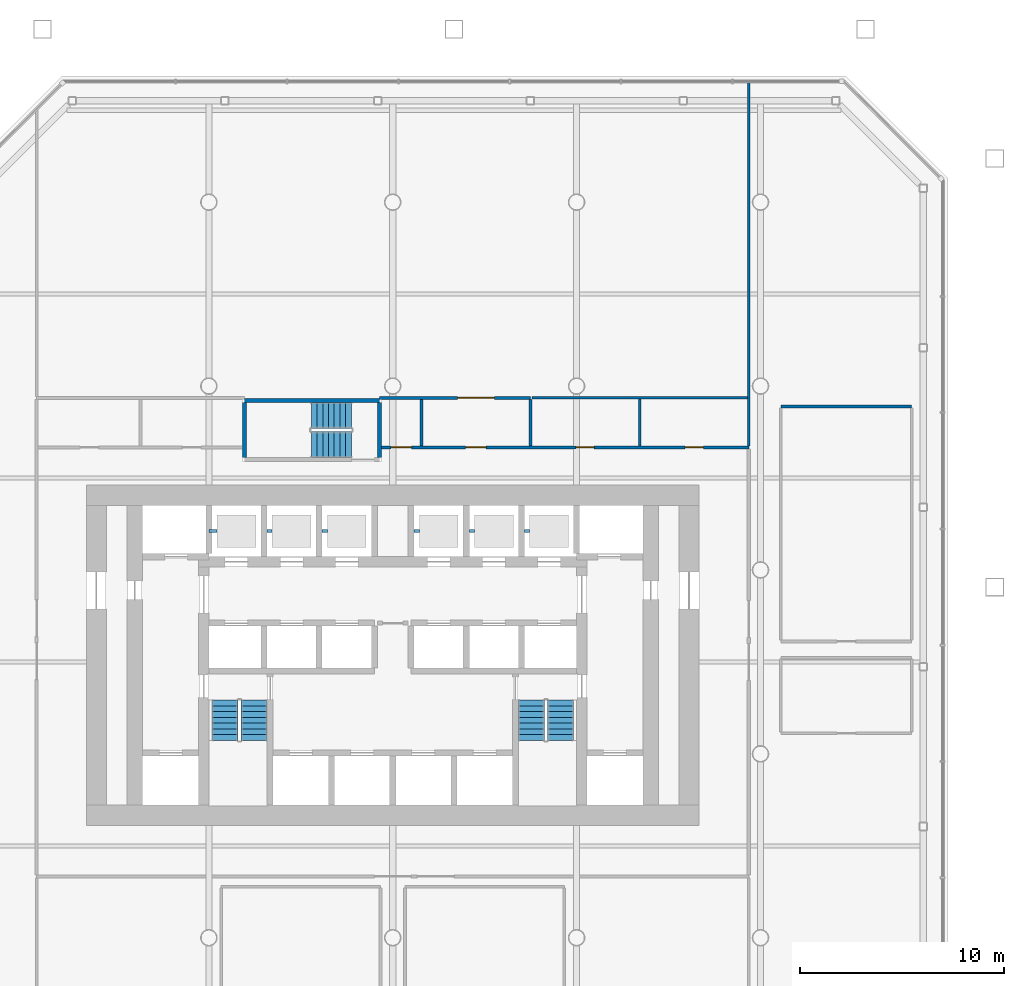
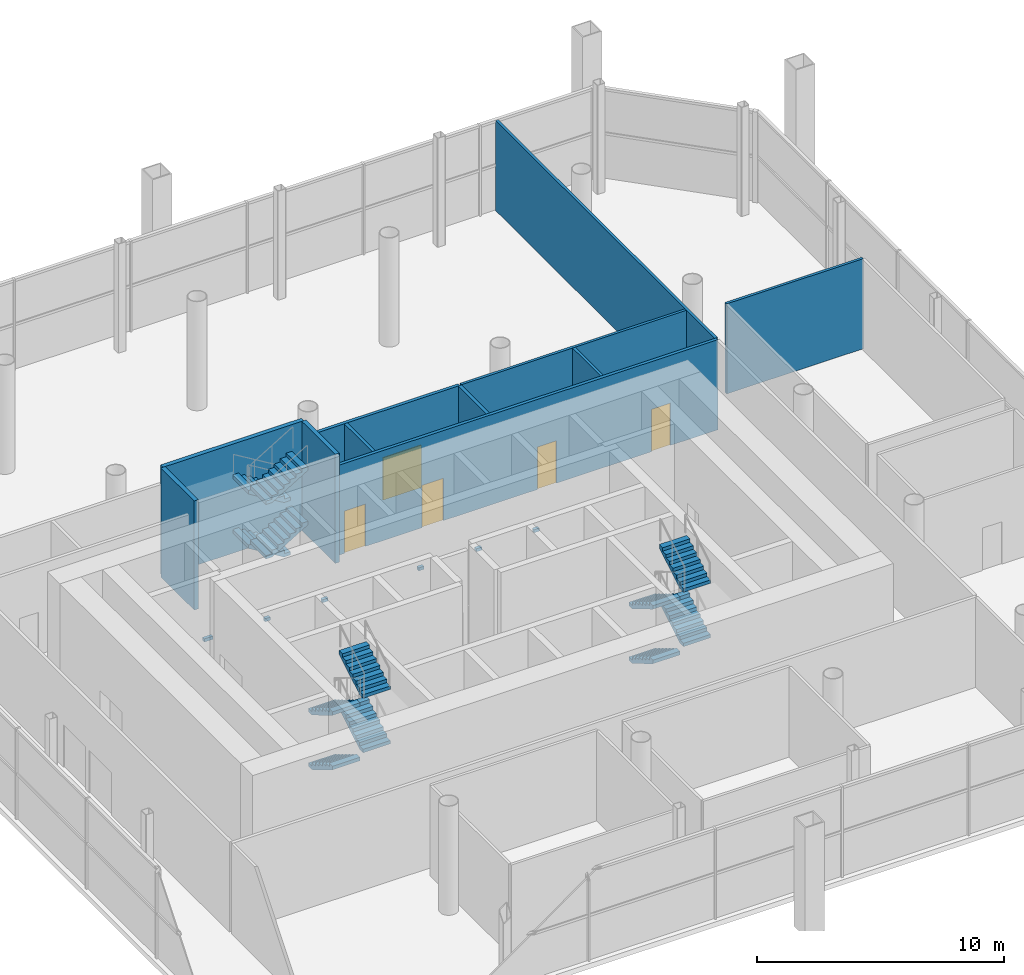
# One storey, part 11 of 13: 12 stair flights, 11 walls, 6 discrete accessories, 5 doors, 5 openings, 3 elements without a shape of their own.
"""IFC4 building model written with IfcOpenShell, lengths in metres."""

from ifc_helpers import new_model, si_unit, direction, frame, frame_2d, origin, origin_2d, place, context, subcontext, project, spatial, polyline, rectangle, outline, extrude, material, layer, layer_set, type_object, element, fill, aggregate, save


model = new_model("IFC4")

# Units and contexts
model_context = context("Model", 3, precision=1e-05, world=origin(), true_north=direction((0.0, 1.0)))
body_context = subcontext(model_context, "Body", "Model", "MODEL_VIEW")
ifc_project = project(units=[si_unit("LENGTHUNIT", "METRE"), si_unit("AREAUNIT", "SQUARE_METRE"), si_unit("VOLUMEUNIT", "CUBIC_METRE"), si_unit("PLANEANGLEUNIT", "RADIAN"), si_unit("MASSUNIT", "GRAM", prefix="KILO")], contexts=[model_context])

# Site, building, storey
site_placement = place(None, origin())
site = spatial("IfcSite", under=ifc_project, at=site_placement, CompositionType="ELEMENT")
building_placement = place(site_placement, origin())
building = spatial("IfcBuilding", under=site, at=building_placement, Name="Tskaro Facet Tower", CompositionType="ELEMENT")
storey_placement = place(building_placement, frame((0.0, 0.0, 108.89990234375)))
storey = spatial("IfcBuildingStorey", under=building, at=storey_placement, Name="L26", CompositionType="ELEMENT", Elevation=108.89990234375)

# Walls
ifc_material_1 = material(Name="Gypsum board on steel studs", Category="steel")
ifc_layer_1 = layer(ifc_material_1, 0.125, Name="Gypsum board on steel studs")
ifc_layer_set_1 = layer_set([ifc_layer_1], Name="Gypsum board on steel studs")
wall_type_1 = type_object("IfcWallType", Name="PART", PredefinedType="PARTITIONING", material=ifc_layer_set_1)
wall_1_placement = place(storey_placement, frame((19.0, 8.0, 0.0), z_axis=(0.0, 0.0, 1.0), x_axis=(1.0, 0.0, 0.0)))
element("IfcWall", 1, at=wall_1_placement, inside=storey, type_object=wall_type_1, Name="Partition W022", PredefinedType="PARTITIONING", context=body_context, shape_type="SweptSolid", body=[
    extrude(rectangle(XDim=6.39990234375, YDim=0.125, at=frame_2d((3.199951171875, 0.0))), origin(), (0.0, 0.0, 1.0), 4.460205078125),
])
wall_2_placement = place(storey_placement, frame((6.81689453125, 8.425048828125, 0.0), z_axis=(0.0, 0.0, 1.0), x_axis=(1.0, 0.0, 0.0)))
element("IfcWall", 2, at=wall_2_placement, inside=storey, type_object=wall_type_1, Name="Partition W026", PredefinedType="PARTITIONING", context=body_context, shape_type="SweptSolid", body=[
    extrude(rectangle(XDim=10.545654296875, YDim=0.125, at=frame_2d((5.27294921875, 0.0))), origin(), (0.0, 0.0, 1.0), 4.460205078125),
])
wall_3_placement = place(storey_placement, frame((12.0830078125, 6.074951171875, 0.0), z_axis=(0.0, 0.0, 1.0), x_axis=(0.0, 1.0, 0.0)))
element("IfcWall", 3, at=wall_3_placement, inside=storey, type_object=wall_type_1, Name="Partition W059", PredefinedType="PARTITIONING", context=body_context, shape_type="SweptSolid", body=[
    extrude(rectangle(XDim=2.28759765625, YDim=0.125, at=frame_2d((1.143798828125, 0.0))), origin(), (0.0, 0.0, 1.0), 4.460205078125),
])
wall_4_placement = place(storey_placement, frame((17.425048828125, 6.074951171875, 0.0), z_axis=(0.0, 0.0, 1.0), x_axis=(0.0, 1.0, 0.0)))
element("IfcWall", 4, at=wall_4_placement, inside=storey, type_object=wall_type_1, Name="Partition W062", PredefinedType="PARTITIONING", context=body_context, shape_type="SweptSolid", body=[
    extrude(rectangle(XDim=17.7900390625, YDim=0.125, at=frame_2d((8.89501953125, 0.0))), origin(), (0.0, 0.0, 1.0), 4.460205078125),
])

# Wall, openings, doors
ifc_layer_2 = layer(ifc_material_1, 0.14990234375, Name="Gypsum board on steel studs")
ifc_layer_set_2 = layer_set([ifc_layer_2], Name="Gypsum board on steel studs")
wall_type_2 = type_object("IfcWallType", Name="PART-CORR", PredefinedType="PARTITIONING", material=ifc_layer_set_2)
wall_5_placement = place(storey_placement, frame((17.425048828125, 6.0, 0.0), z_axis=(0.0, 0.0, 1.0), x_axis=(-1.0, 0.0, 0.0)))
wall_5 = element("IfcWall", 5, at=wall_5_placement, inside=storey, type_object=wall_type_2, Name="Corridor wall W021", PredefinedType="PARTITIONING", context=body_context, shape_type="SweptSolid", body=[
    extrude(rectangle(XDim=17.97509765625, YDim=0.14990234375, at=frame_2d((8.987548828125, 0.0))), origin(), (0.0, 0.0, 1.0), 4.460205078125),
])
opening_1_placement = place(wall_5_placement, frame((12.85400390625, 0.0, 0.0)))
opening_1 = element("IfcOpeningElement", 6, at=opening_1_placement, cuts=wall_5, Name="Opening S26-D20", PredefinedType="OPENING", context=body_context, shape_type="SweptSolid", body=[
    extrude(rectangle(XDim=1.0, YDim=2.10009765625, at=frame_2d((0.5, 1.050048828125))), frame((0.0, 0.0849609375, 0.0), z_axis=(0.0, -1.0, 0.0), x_axis=(1.0, 0.0, 0.0)), (0.0, 0.0, 1.0), 0.169921875),
])
opening_2_placement = place(wall_5_placement, frame((16.5, 0.0, 0.0)))
opening_2 = element("IfcOpeningElement", 7, at=opening_2_placement, cuts=wall_5, Name="Opening S26-D19", PredefinedType="OPENING", context=body_context, shape_type="SweptSolid", body=[
    extrude(rectangle(XDim=1.0, YDim=2.10009765625, at=frame_2d((0.5, 1.050048828125))), frame((0.0, 0.0849609375, 0.0), z_axis=(0.0, -1.0, 0.0), x_axis=(1.0, 0.0, 0.0)), (0.0, 0.0, 1.0), 0.169921875),
])
opening_3_placement = place(wall_5_placement, frame((7.5625, 0.0, 0.0)))
opening_3 = element("IfcOpeningElement", 8, at=opening_3_placement, cuts=wall_5, Name="Opening S26-D21", PredefinedType="OPENING", context=body_context, shape_type="SweptSolid", body=[
    extrude(rectangle(XDim=0.89990234375, YDim=2.10009765625, at=frame_2d((0.449951171875, 1.050048828125))), frame((0.0, 0.0849609375, 0.0), z_axis=(0.0, -1.0, 0.0), x_axis=(1.0, 0.0, 0.0)), (0.0, 0.0, 1.0), 0.169921875),
])
opening_4_placement = place(wall_5_placement, frame((2.220947265625, 0.0, 0.0)))
opening_4 = element("IfcOpeningElement", 9, at=opening_4_placement, cuts=wall_5, Name="Opening S26-D22", PredefinedType="OPENING", context=body_context, shape_type="SweptSolid", body=[
    extrude(rectangle(XDim=0.89990234375, YDim=2.10009765625, at=frame_2d((0.449951171875, 1.050048828125))), frame((0.0, 0.0849609375, 0.0), z_axis=(0.0, -1.0, 0.0), x_axis=(1.0, 0.0, 0.0)), (0.0, 0.0, 1.0), 0.169921875),
])
ifc_material_2 = material(Name="Timber", Category="wood")
door_type_1 = type_object("IfcDoorType", Name="D-ENTRY", OperationType="NOTDEFINED", PredefinedType="DOOR", material=ifc_material_2)
door_1_placement = place(opening_1_placement, origin())
door_1 = element("IfcDoor", 10, at=door_1_placement, inside=storey, type_object=door_type_1, Name="Door S26-D20", OperationType="SINGLE_SWING_RIGHT", OverallHeight=2.10009765625, OverallWidth=1.0, PredefinedType="DOOR", context=body_context, shape_type="SweptSolid", body=[
    extrude(rectangle(XDim=1.0, YDim=2.10009765625, at=frame_2d((0.5, 1.050048828125))), frame((0.0, 0.02490234375, 0.0), z_axis=(0.0, -1.0, 0.0), x_axis=(1.0, 0.0, 0.0)), (0.0, 0.0, 1.0), 0.050048828125),
])
fill(opening_1, door_1)
door_type_2 = type_object("IfcDoorType", Name="D-ROOM", OperationType="NOTDEFINED", PredefinedType="DOOR", material=ifc_material_2)
door_2_placement = place(opening_3_placement, origin())
door_2 = element("IfcDoor", 11, at=door_2_placement, inside=storey, type_object=door_type_2, Name="Door S26-D21", OperationType="SINGLE_SWING_RIGHT", OverallHeight=2.10009765625, OverallWidth=0.89990234375, PredefinedType="DOOR", context=body_context, shape_type="SweptSolid", body=[
    extrude(rectangle(XDim=0.89990234375, YDim=2.10009765625, at=frame_2d((0.449951171875, 1.050048828125))), frame((0.0, 0.02490234375, 0.0), z_axis=(0.0, -1.0, 0.0), x_axis=(1.0, 0.0, 0.0)), (0.0, 0.0, 1.0), 0.050048828125),
])
fill(opening_3, door_2)
door_3_placement = place(opening_4_placement, origin())
door_3 = element("IfcDoor", 12, at=door_3_placement, inside=storey, type_object=door_type_2, Name="Door S26-D22", OperationType="SINGLE_SWING_RIGHT", OverallHeight=2.10009765625, OverallWidth=0.89990234375, PredefinedType="DOOR", context=body_context, shape_type="SweptSolid", body=[
    extrude(rectangle(XDim=0.89990234375, YDim=2.10009765625, at=frame_2d((0.449951171875, 1.050048828125))), frame((0.0, 0.02490234375, 0.0), z_axis=(0.0, -1.0, 0.0), x_axis=(1.0, 0.0, 0.0)), (0.0, 0.0, 1.0), 0.050048828125),
])
fill(opening_4, door_3)
door_type_3 = type_object("IfcDoorType", Name="D-ROOM-WIDE", OperationType="NOTDEFINED", PredefinedType="DOOR", material=ifc_material_2)
door_4_placement = place(opening_2_placement, origin())
door_4 = element("IfcDoor", 13, at=door_4_placement, inside=storey, type_object=door_type_3, Name="Door S26-D19", OperationType="SINGLE_SWING_RIGHT", OverallHeight=2.10009765625, OverallWidth=1.0, PredefinedType="DOOR", context=body_context, shape_type="SweptSolid", body=[
    extrude(rectangle(XDim=1.0, YDim=2.10009765625, at=frame_2d((0.5, 1.050048828125))), frame((0.0, 0.02490234375, 0.0), z_axis=(0.0, -1.0, 0.0), x_axis=(1.0, 0.0, 0.0)), (0.0, 0.0, 1.0), 0.050048828125),
])
fill(opening_2, door_4)

# Wall, opening, door
wall_6_placement = place(storey_placement, frame((-0.64990234375, 8.425048828125, 0.0), z_axis=(0.0, 0.0, 1.0), x_axis=(1.0, 0.0, 0.0)))
wall_6 = element("IfcWall", 14, at=wall_6_placement, inside=storey, type_object=wall_type_2, Name="Corridor wall W025", PredefinedType="PARTITIONING", context=body_context, shape_type="SweptSolid", body=[
    extrude(rectangle(XDim=7.391845703125, YDim=0.14990234375, at=frame_2d((3.69580078125, 0.0))), origin(), (0.0, 0.0, 1.0), 4.460205078125),
])
opening_5_placement = place(wall_6_placement, frame((3.821044921875, 0.0, 0.0)))
opening_5 = element("IfcOpeningElement", 15, at=opening_5_placement, cuts=wall_6, Name="Opening S26-D23", PredefinedType="OPENING", context=body_context, shape_type="SweptSolid", body=[
    extrude(rectangle(XDim=1.800048828125, YDim=2.10009765625, at=frame_2d((0.89990234375, 1.050048828125))), frame((0.0, 0.0849609375, 0.0), z_axis=(0.0, -1.0, 0.0), x_axis=(1.0, 0.0, 0.0)), (0.0, 0.0, 1.0), 0.169921875),
])
ifc_material_3 = material(Name="Glass", Category="glass")
door_type_4 = type_object("IfcDoorType", Name="D-ENTRY-PAIR", OperationType="NOTDEFINED", PredefinedType="DOOR", material=ifc_material_3)
door_5_placement = place(opening_5_placement, origin())
door_5 = element("IfcDoor", 16, at=door_5_placement, inside=storey, type_object=door_type_4, Name="Door S26-D23", OperationType="DOUBLE_DOOR_SINGLE_SWING", OverallHeight=2.10009765625, OverallWidth=1.800048828125, PredefinedType="DOOR", context=body_context, shape_type="SweptSolid", body=[
    extrude(rectangle(XDim=1.800048828125, YDim=2.10009765625, at=frame_2d((0.89990234375, 1.050048828125))), frame((0.0, 0.02490234375, 0.0), z_axis=(0.0, -1.0, 0.0), x_axis=(1.0, 0.0, 0.0)), (0.0, 0.0, 1.0), 0.050048828125),
])
fill(opening_5, door_5)

# Walls
for number, where, z_axis, x_axis, name in (
    (17, (1.39990234375, 6.074951171875, 0.0), (0.0, 0.0, 1.0), (0.0, 1.0, 0.0), "Corridor wall W049"),
    (18, (6.741943359375, 6.074951171875, 0.0), (0.0, 0.0, 1.0), (0.0, 1.0, 0.0), "Corridor wall W056"),
):
    element("IfcWall", number, at=place(storey_placement, frame(where, z_axis=z_axis, x_axis=x_axis)), inside=storey, type_object=wall_type_2, Name=name, PredefinedType="PARTITIONING", context=body_context, shape_type="SweptSolid", body=[
        extrude(rectangle(XDim=2.275146484375, YDim=0.14990234375, at=frame_2d((1.1376953125, 0.0))), origin(), (0.0, 0.0, 1.0), 4.460205078125),
    ])
ifc_material_4 = material(Name="Concrete C60/75", Category="concrete")
ifc_layer_3 = layer(ifc_material_4, 0.199951171875, Name="Concrete C60/75")
ifc_layer_set_3 = layer_set([ifc_layer_3], Name="Concrete C60/75")
wall_type_3 = type_object("IfcWallType", Name="STAIR-WALL", PredefinedType="SHEAR", material=ifc_layer_set_3)
wall_7_placement = place(storey_placement, frame((-7.25, 8.300048828125, 0.0), z_axis=(0.0, 0.0, 1.0), x_axis=(1.0, 0.0, 0.0)))
element("IfcWall", 19, at=wall_7_placement, inside=storey, type_object=wall_type_3, Name="Stair wall W023", PredefinedType="SHEAR", context=body_context, shape_type="SweptSolid", body=[
    extrude(rectangle(XDim=6.60009765625, YDim=0.199951171875, at=frame_2d((3.300048828125, 0.0))), origin(), (0.0, 0.0, 1.0), 5.400146484375),
])
for number, where, z_axis, x_axis, name in (
    (20, (-7.25, 5.5, 0.0), (0.0, 0.0, 1.0), (0.0, 1.0, 0.0), "Stair wall W034"),
    (21, (-0.64990234375, 5.5, 0.0), (0.0, 0.0, 1.0), (0.0, 1.0, 0.0), "Stair wall W043"),
):
    element("IfcWall", number, at=place(storey_placement, frame(where, z_axis=z_axis, x_axis=x_axis)), inside=storey, type_object=wall_type_3, Name=name, PredefinedType="SHEAR", context=body_context, shape_type="SweptSolid", body=[
        extrude(rectangle(XDim=2.699951171875, YDim=0.199951171875, at=frame_2d((1.35009765625, 0.0))), origin(), (0.0, 0.0, 1.0), 5.400146484375),
    ])

# Stair, stair flights
ifc_material_5 = material(Name="Concrete C40/50", Category="concrete")
stair_type = type_object("IfcStairType", Name="ST-TWR", PredefinedType="HALF_TURN_STAIR", material=ifc_material_5)
stair_1_placement = place(storey_placement, origin())
stair_1 = element("IfcStair", 22, at=stair_1_placement, inside=storey, type_object=stair_type, Name="L26 Exit stair 1", PredefinedType="HALF_TURN_STAIR")
stair_flight_type = type_object("IfcStairFlightType", Name="SFL-RC", PredefinedType="STRAIGHT", material=ifc_material_5)
stair_flight_1_placement = place(storey_placement, frame((-8.21240234375, -6.375, 0.0), z_axis=(0.0, 0.0, 1.0), x_axis=(0.0, -1.0, 0.0)))
stair_flight_1 = element("IfcStairFlight", 23, at=stair_flight_1_placement, type_object=stair_flight_type, Name="ST-1 flight 1", NumberOfRisers=8, NumberOfTreads=7, PredefinedType="STRAIGHT", RiserHeight=0.16875, TreadLength=0.28, context=body_context, shape_type="SweptSolid", body=[
    extrude(outline(polyline([(0.0, 0.0), (0.0, 0.168701171875), (0.280029296875, 0.168701171875), (0.280029296875, 0.33740234375), (0.56005859375, 0.33740234375), (0.56005859375, 0.50634765625), (0.840087890625, 0.50634765625), (0.840087890625, 0.675048828125), (1.1201171875, 0.675048828125), (1.1201171875, 0.84375), (1.39990234375, 0.84375), (1.39990234375, 1.012451171875), (1.679931640625, 1.012451171875), (1.679931640625, 1.18115234375), (1.9599609375, 1.18115234375), (1.9599609375, 1.35009765625), (1.9599609375, 1.00634765625), (0.29052734375, 0.0), (0.0, 0.0)])), frame((0.0, 0.637451171875, 0.0), z_axis=(0.0, -1.0, 0.0), x_axis=(1.0, 0.0, 0.0)), (0.0, 0.0, 1.0), 1.27490234375),
])
stair_flight_2_placement = place(storey_placement, frame((-6.78759765625, -8.3349609375, 1.35009765625), z_axis=(0.0, 0.0, 1.0), x_axis=(0.0, 1.0, 0.0)))
stair_flight_2 = element("IfcStairFlight", 24, at=stair_flight_2_placement, type_object=stair_flight_type, Name="ST-1 flight 2", NumberOfRisers=8, NumberOfTreads=7, PredefinedType="STRAIGHT", RiserHeight=0.16875, TreadLength=0.28, context=body_context, shape_type="SweptSolid", body=[
    extrude(outline(polyline([(0.0, 0.0), (0.0, 0.168701171875), (0.280029296875, 0.168701171875), (0.280029296875, 0.33740234375), (0.56005859375, 0.33740234375), (0.56005859375, 0.50634765625), (0.840087890625, 0.50634765625), (0.840087890625, 0.675048828125), (1.1201171875, 0.675048828125), (1.1201171875, 0.84375), (1.39990234375, 0.84375), (1.39990234375, 1.012451171875), (1.679931640625, 1.012451171875), (1.679931640625, 1.18115234375), (1.9599609375, 1.18115234375), (1.9599609375, 1.35009765625), (1.9599609375, 1.00634765625), (0.29052734375, 0.0), (0.0, 0.0)])), frame((0.0, 0.637451171875, 0.0), z_axis=(0.0, -1.0, 0.0), x_axis=(1.0, 0.0, 0.0)), (0.0, 0.0, 1.0), 1.27490234375),
])
stair_flight_3_placement = place(storey_placement, frame((-8.21240234375, -6.375, 2.7001953125), z_axis=(0.0, 0.0, 1.0), x_axis=(0.0, -1.0, 0.0)))
stair_flight_3 = element("IfcStairFlight", 25, at=stair_flight_3_placement, type_object=stair_flight_type, Name="ST-1 flight 3", NumberOfRisers=8, NumberOfTreads=7, PredefinedType="STRAIGHT", RiserHeight=0.16875, TreadLength=0.28, context=body_context, shape_type="SweptSolid", body=[
    extrude(outline(polyline([(0.0, 0.0), (0.0, 0.168701171875), (0.280029296875, 0.168701171875), (0.280029296875, 0.33740234375), (0.56005859375, 0.33740234375), (0.56005859375, 0.50634765625), (0.840087890625, 0.50634765625), (0.840087890625, 0.675048828125), (1.1201171875, 0.675048828125), (1.1201171875, 0.84375), (1.39990234375, 0.84375), (1.39990234375, 1.012451171875), (1.679931640625, 1.012451171875), (1.679931640625, 1.18115234375), (1.9599609375, 1.18115234375), (1.9599609375, 1.35009765625), (1.9599609375, 1.00634765625), (0.29052734375, 0.0), (0.0, 0.0)])), frame((0.0, 0.637451171875, 0.0), z_axis=(0.0, -1.0, 0.0), x_axis=(1.0, 0.0, 0.0)), (0.0, 0.0, 1.0), 1.27490234375),
])
stair_flight_4_placement = place(storey_placement, frame((-6.78759765625, -8.3349609375, 4.050048828125), z_axis=(0.0, 0.0, 1.0), x_axis=(0.0, 1.0, 0.0)))
stair_flight_4 = element("IfcStairFlight", 26, at=stair_flight_4_placement, type_object=stair_flight_type, Name="ST-1 flight 4", NumberOfRisers=8, NumberOfTreads=7, PredefinedType="STRAIGHT", RiserHeight=0.16875, TreadLength=0.28, context=body_context, shape_type="SweptSolid", body=[
    extrude(outline(polyline([(0.0, 0.0), (0.0, 0.168701171875), (0.280029296875, 0.168701171875), (0.280029296875, 0.33740234375), (0.56005859375, 0.33740234375), (0.56005859375, 0.50634765625), (0.840087890625, 0.50634765625), (0.840087890625, 0.675048828125), (1.1201171875, 0.675048828125), (1.1201171875, 0.84375), (1.39990234375, 0.84375), (1.39990234375, 1.012451171875), (1.679931640625, 1.012451171875), (1.679931640625, 1.18115234375), (1.9599609375, 1.18115234375), (1.9599609375, 1.35009765625), (1.9599609375, 1.00634765625), (0.29052734375, 0.0), (0.0, 0.0)])), frame((0.0, 0.637451171875, 0.0), z_axis=(0.0, -1.0, 0.0), x_axis=(1.0, 0.0, 0.0)), (0.0, 0.0, 1.0), 1.27490234375),
])
aggregate(stair_1, [stair_flight_1, stair_flight_2, stair_flight_3, stair_flight_4])

stair_2_placement = place(storey_placement, origin())
stair_2 = element("IfcStair", 27, at=stair_2_placement, inside=storey, type_object=stair_type, Name="L26 Exit stair 2", PredefinedType="HALF_TURN_STAIR")
stair_flight_5_placement = place(storey_placement, frame((6.78759765625, -6.375, 0.0), z_axis=(0.0, 0.0, 1.0), x_axis=(0.0, -1.0, 0.0)))
stair_flight_5 = element("IfcStairFlight", 28, at=stair_flight_5_placement, type_object=stair_flight_type, Name="ST-2 flight 1", NumberOfRisers=8, NumberOfTreads=7, PredefinedType="STRAIGHT", RiserHeight=0.16875, TreadLength=0.28, context=body_context, shape_type="SweptSolid", body=[
    extrude(outline(polyline([(0.0, 0.0), (0.0, 0.168701171875), (0.280029296875, 0.168701171875), (0.280029296875, 0.33740234375), (0.56005859375, 0.33740234375), (0.56005859375, 0.50634765625), (0.840087890625, 0.50634765625), (0.840087890625, 0.675048828125), (1.1201171875, 0.675048828125), (1.1201171875, 0.84375), (1.39990234375, 0.84375), (1.39990234375, 1.012451171875), (1.679931640625, 1.012451171875), (1.679931640625, 1.18115234375), (1.9599609375, 1.18115234375), (1.9599609375, 1.35009765625), (1.9599609375, 1.00634765625), (0.29052734375, 0.0), (0.0, 0.0)])), frame((0.0, 0.637451171875, 0.0), z_axis=(0.0, -1.0, 0.0), x_axis=(1.0, 0.0, 0.0)), (0.0, 0.0, 1.0), 1.27490234375),
])
stair_flight_6_placement = place(storey_placement, frame((8.21240234375, -8.3349609375, 1.35009765625), z_axis=(0.0, 0.0, 1.0), x_axis=(0.0, 1.0, 0.0)))
stair_flight_6 = element("IfcStairFlight", 29, at=stair_flight_6_placement, type_object=stair_flight_type, Name="ST-2 flight 2", NumberOfRisers=8, NumberOfTreads=7, PredefinedType="STRAIGHT", RiserHeight=0.16875, TreadLength=0.28, context=body_context, shape_type="SweptSolid", body=[
    extrude(outline(polyline([(0.0, 0.0), (0.0, 0.168701171875), (0.280029296875, 0.168701171875), (0.280029296875, 0.33740234375), (0.56005859375, 0.33740234375), (0.56005859375, 0.50634765625), (0.840087890625, 0.50634765625), (0.840087890625, 0.675048828125), (1.1201171875, 0.675048828125), (1.1201171875, 0.84375), (1.39990234375, 0.84375), (1.39990234375, 1.012451171875), (1.679931640625, 1.012451171875), (1.679931640625, 1.18115234375), (1.9599609375, 1.18115234375), (1.9599609375, 1.35009765625), (1.9599609375, 1.00634765625), (0.29052734375, 0.0), (0.0, 0.0)])), frame((0.0, 0.637451171875, 0.0), z_axis=(0.0, -1.0, 0.0), x_axis=(1.0, 0.0, 0.0)), (0.0, 0.0, 1.0), 1.27490234375),
])
stair_flight_7_placement = place(storey_placement, frame((6.78759765625, -6.375, 2.7001953125), z_axis=(0.0, 0.0, 1.0), x_axis=(0.0, -1.0, 0.0)))
stair_flight_7 = element("IfcStairFlight", 30, at=stair_flight_7_placement, type_object=stair_flight_type, Name="ST-2 flight 3", NumberOfRisers=8, NumberOfTreads=7, PredefinedType="STRAIGHT", RiserHeight=0.16875, TreadLength=0.28, context=body_context, shape_type="SweptSolid", body=[
    extrude(outline(polyline([(0.0, 0.0), (0.0, 0.168701171875), (0.280029296875, 0.168701171875), (0.280029296875, 0.33740234375), (0.56005859375, 0.33740234375), (0.56005859375, 0.50634765625), (0.840087890625, 0.50634765625), (0.840087890625, 0.675048828125), (1.1201171875, 0.675048828125), (1.1201171875, 0.84375), (1.39990234375, 0.84375), (1.39990234375, 1.012451171875), (1.679931640625, 1.012451171875), (1.679931640625, 1.18115234375), (1.9599609375, 1.18115234375), (1.9599609375, 1.35009765625), (1.9599609375, 1.00634765625), (0.29052734375, 0.0), (0.0, 0.0)])), frame((0.0, 0.637451171875, 0.0), z_axis=(0.0, -1.0, 0.0), x_axis=(1.0, 0.0, 0.0)), (0.0, 0.0, 1.0), 1.27490234375),
])
stair_flight_8_placement = place(storey_placement, frame((8.21240234375, -8.3349609375, 4.050048828125), z_axis=(0.0, 0.0, 1.0), x_axis=(0.0, 1.0, 0.0)))
stair_flight_8 = element("IfcStairFlight", 31, at=stair_flight_8_placement, type_object=stair_flight_type, Name="ST-2 flight 4", NumberOfRisers=8, NumberOfTreads=7, PredefinedType="STRAIGHT", RiserHeight=0.16875, TreadLength=0.28, context=body_context, shape_type="SweptSolid", body=[
    extrude(outline(polyline([(0.0, 0.0), (0.0, 0.168701171875), (0.280029296875, 0.168701171875), (0.280029296875, 0.33740234375), (0.56005859375, 0.33740234375), (0.56005859375, 0.50634765625), (0.840087890625, 0.50634765625), (0.840087890625, 0.675048828125), (1.1201171875, 0.675048828125), (1.1201171875, 0.84375), (1.39990234375, 0.84375), (1.39990234375, 1.012451171875), (1.679931640625, 1.012451171875), (1.679931640625, 1.18115234375), (1.9599609375, 1.18115234375), (1.9599609375, 1.35009765625), (1.9599609375, 1.00634765625), (0.29052734375, 0.0), (0.0, 0.0)])), frame((0.0, 0.637451171875, 0.0), z_axis=(0.0, -1.0, 0.0), x_axis=(1.0, 0.0, 0.0)), (0.0, 0.0, 1.0), 1.27490234375),
])
aggregate(stair_2, [stair_flight_5, stair_flight_6, stair_flight_7, stair_flight_8])

stair_3_placement = place(storey_placement, origin())
stair_3 = element("IfcStair", 32, at=stair_3_placement, inside=storey, type_object=stair_type, Name="L26 Exit stair 3", PredefinedType="HALF_TURN_STAIR")
stair_flight_9_placement = place(storey_placement, frame((-2.02490234375, 7.5625, 0.0), z_axis=(0.0, 0.0, 1.0), x_axis=(-1.0, 0.0, 0.0)))
stair_flight_9 = element("IfcStairFlight", 33, at=stair_flight_9_placement, type_object=stair_flight_type, Name="ST-3 flight 1", NumberOfRisers=8, NumberOfTreads=7, PredefinedType="STRAIGHT", RiserHeight=0.16875, TreadLength=0.28, context=body_context, shape_type="SweptSolid", body=[
    extrude(outline(polyline([(0.0, 0.0), (0.0, 0.168701171875), (0.280029296875, 0.168701171875), (0.280029296875, 0.33740234375), (0.56005859375, 0.33740234375), (0.56005859375, 0.50634765625), (0.840087890625, 0.50634765625), (0.840087890625, 0.675048828125), (1.1201171875, 0.675048828125), (1.1201171875, 0.84375), (1.39990234375, 0.84375), (1.39990234375, 1.012451171875), (1.679931640625, 1.012451171875), (1.679931640625, 1.18115234375), (1.9599609375, 1.18115234375), (1.9599609375, 1.35009765625), (1.9599609375, 1.00634765625), (0.29052734375, 0.0), (0.0, 0.0)])), frame((0.0, 0.637451171875, 0.0), z_axis=(0.0, -1.0, 0.0), x_axis=(1.0, 0.0, 0.0)), (0.0, 0.0, 1.0), 1.27490234375),
])
stair_flight_10_placement = place(storey_placement, frame((-3.985107421875, 6.137451171875, 1.35009765625), z_axis=(0.0, 0.0, 1.0), x_axis=(1.0, 0.0, 0.0)))
stair_flight_10 = element("IfcStairFlight", 34, at=stair_flight_10_placement, type_object=stair_flight_type, Name="ST-3 flight 2", NumberOfRisers=8, NumberOfTreads=7, PredefinedType="STRAIGHT", RiserHeight=0.16875, TreadLength=0.28, context=body_context, shape_type="SweptSolid", body=[
    extrude(outline(polyline([(0.0, 0.0), (0.0, 0.168701171875), (0.280029296875, 0.168701171875), (0.280029296875, 0.33740234375), (0.56005859375, 0.33740234375), (0.56005859375, 0.50634765625), (0.840087890625, 0.50634765625), (0.840087890625, 0.675048828125), (1.1201171875, 0.675048828125), (1.1201171875, 0.84375), (1.39990234375, 0.84375), (1.39990234375, 1.012451171875), (1.679931640625, 1.012451171875), (1.679931640625, 1.18115234375), (1.9599609375, 1.18115234375), (1.9599609375, 1.35009765625), (1.9599609375, 1.00634765625), (0.29052734375, 0.0), (0.0, 0.0)])), frame((0.0, 0.637451171875, 0.0), z_axis=(0.0, -1.0, 0.0), x_axis=(1.0, 0.0, 0.0)), (0.0, 0.0, 1.0), 1.27490234375),
])
stair_flight_11_placement = place(storey_placement, frame((-2.02490234375, 7.5625, 2.7001953125), z_axis=(0.0, 0.0, 1.0), x_axis=(-1.0, 0.0, 0.0)))
stair_flight_11 = element("IfcStairFlight", 35, at=stair_flight_11_placement, type_object=stair_flight_type, Name="ST-3 flight 3", NumberOfRisers=8, NumberOfTreads=7, PredefinedType="STRAIGHT", RiserHeight=0.16875, TreadLength=0.28, context=body_context, shape_type="SweptSolid", body=[
    extrude(outline(polyline([(0.0, 0.0), (0.0, 0.168701171875), (0.280029296875, 0.168701171875), (0.280029296875, 0.33740234375), (0.56005859375, 0.33740234375), (0.56005859375, 0.50634765625), (0.840087890625, 0.50634765625), (0.840087890625, 0.675048828125), (1.1201171875, 0.675048828125), (1.1201171875, 0.84375), (1.39990234375, 0.84375), (1.39990234375, 1.012451171875), (1.679931640625, 1.012451171875), (1.679931640625, 1.18115234375), (1.9599609375, 1.18115234375), (1.9599609375, 1.35009765625), (1.9599609375, 1.00634765625), (0.29052734375, 0.0), (0.0, 0.0)])), frame((0.0, 0.637451171875, 0.0), z_axis=(0.0, -1.0, 0.0), x_axis=(1.0, 0.0, 0.0)), (0.0, 0.0, 1.0), 1.27490234375),
])
stair_flight_12_placement = place(storey_placement, frame((-3.985107421875, 6.137451171875, 4.050048828125), z_axis=(0.0, 0.0, 1.0), x_axis=(1.0, 0.0, 0.0)))
stair_flight_12 = element("IfcStairFlight", 36, at=stair_flight_12_placement, type_object=stair_flight_type, Name="ST-3 flight 4", NumberOfRisers=8, NumberOfTreads=7, PredefinedType="STRAIGHT", RiserHeight=0.16875, TreadLength=0.28, context=body_context, shape_type="SweptSolid", body=[
    extrude(outline(polyline([(0.0, 0.0), (0.0, 0.168701171875), (0.280029296875, 0.168701171875), (0.280029296875, 0.33740234375), (0.56005859375, 0.33740234375), (0.56005859375, 0.50634765625), (0.840087890625, 0.50634765625), (0.840087890625, 0.675048828125), (1.1201171875, 0.675048828125), (1.1201171875, 0.84375), (1.39990234375, 0.84375), (1.39990234375, 1.012451171875), (1.679931640625, 1.012451171875), (1.679931640625, 1.18115234375), (1.9599609375, 1.18115234375), (1.9599609375, 1.35009765625), (1.9599609375, 1.00634765625), (0.29052734375, 0.0), (0.0, 0.0)])), frame((0.0, 0.637451171875, 0.0), z_axis=(0.0, -1.0, 0.0), x_axis=(1.0, 0.0, 0.0)), (0.0, 0.0, 1.0), 1.27490234375),
])
aggregate(stair_3, [stair_flight_9, stair_flight_10, stair_flight_11, stair_flight_12])

# Discrete accessories
discrete_accessory_placement = place(storey_placement, frame((-8.800048828125, 1.89990234375, 1.22509765625), z_axis=(0.0, 0.0, 1.0), x_axis=(1.0, 0.0, 0.0)))
element("IfcDiscreteAccessory", 37, at=discrete_accessory_placement, inside=storey, Name="Car guide bracket MB1", PredefinedType="BRACKET", context=body_context, shape_type="SweptSolid", body=[
    extrude(rectangle(XDim=0.39990234375, YDim=0.14990234375, at=origin_2d()), origin(), (0.0, 0.0, 1.0), 0.14990234375),
])
for number, where, z_axis, x_axis, name in (
    (38, (-6.02490234375, 1.89990234375, 1.22509765625), (0.0, 0.0, 1.0), (1.0, 0.0, 0.0), "Car guide bracket MB2"),
    (39, (-3.324951171875, 1.89990234375, 1.22509765625), (0.0, 0.0, 1.0), (1.0, 0.0, 0.0), "Car guide bracket MB3"),
    (40, (1.175048828125, 1.89990234375, 1.22509765625), (0.0, 0.0, 1.0), (1.0, 0.0, 0.0), "Car guide bracket MB4"),
    (41, (3.875, 1.89990234375, 1.22509765625), (0.0, 0.0, 1.0), (1.0, 0.0, 0.0), "Car guide bracket MB5"),
    (42, (6.574951171875, 1.89990234375, 1.22509765625), (0.0, 0.0, 1.0), (1.0, 0.0, 0.0), "Car guide bracket MB6"),
):
    element("IfcDiscreteAccessory", number, at=place(storey_placement, frame(where, z_axis=z_axis, x_axis=x_axis)), inside=storey, Name=name, PredefinedType="BRACKET", context=body_context, shape_type="SweptSolid", body=[
        extrude(rectangle(XDim=0.25, YDim=0.14990234375, at=origin_2d()), origin(), (0.0, 0.0, 1.0), 0.14990234375),
    ])

save(model, "model.ifc")
